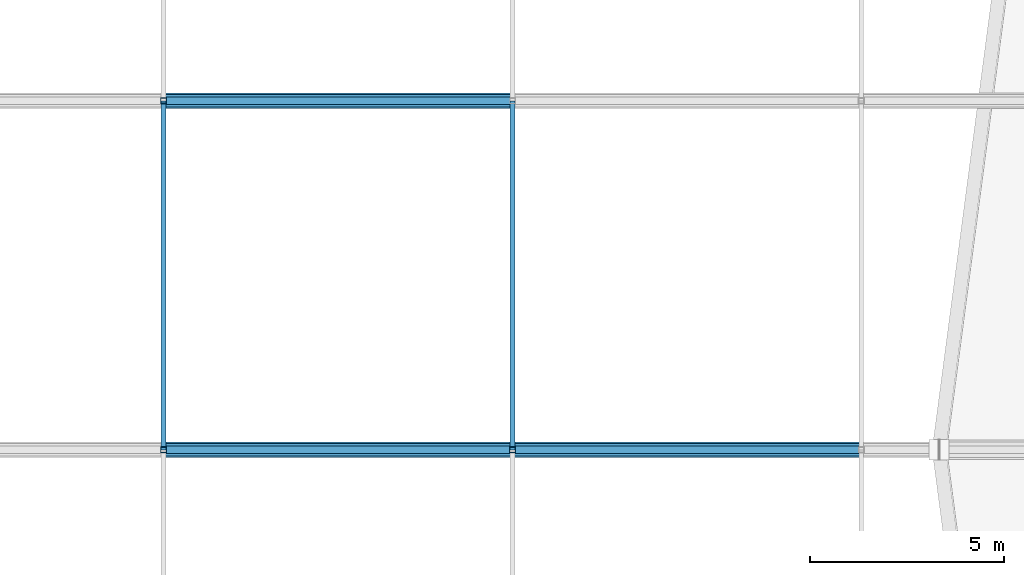
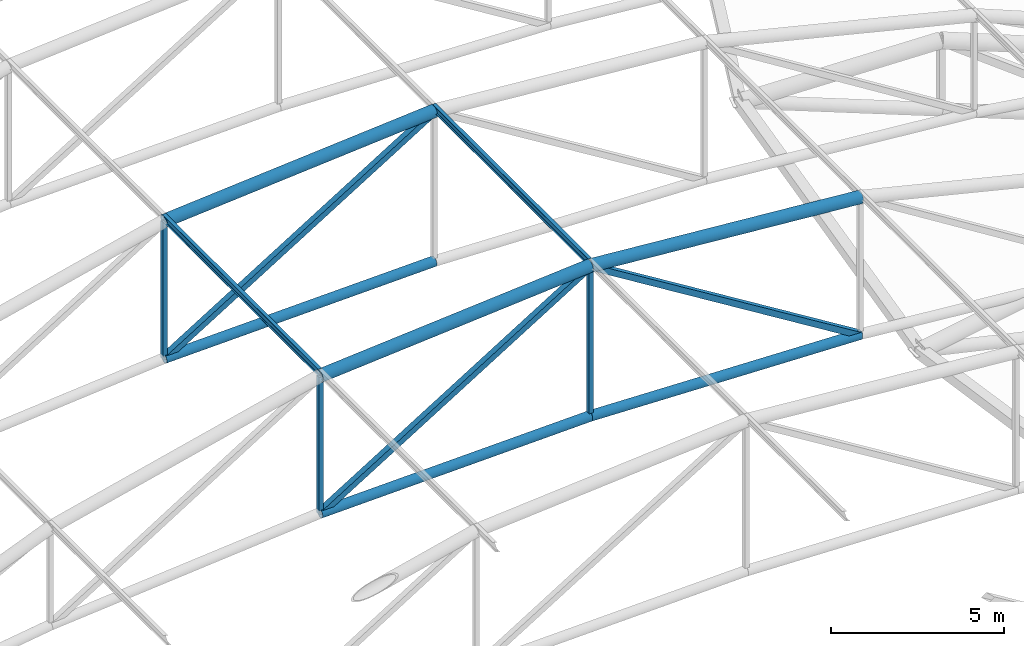
# One storey, part 45 of 167: 14 members.
"""IFC4 building model written with IfcOpenShell, lengths in metres."""

import ifcopenshell
import ifcopenshell.guid

model = None  # the IFC model being written
_history = None  # IfcOwnerHistory: only IFC2X3 demands one
_inside = {}  # id of a spatial element -> (the spatial element, [elements in it])
_under = {}  # id of a project, library or spatial element -> (it, [spatial elements below it])
_declared = {}  # id of a project -> (the project, [libraries it declares])
_typed = {}  # id of a type object -> (the type object, [elements of that type])
_made_of = {}  # id of a material, layer set ... -> (it, [elements and type objects made of it])


def new_model(schema):
    """Start an empty IFC model of exactly this schema.

    Asked for "IFC4X3", IfcOpenShell would pick the latest addendum, in which some entities
    have other attributes; the version numbers below select the first issue.
    IFC2X3 requires an IfcOwnerHistory on every rooted entity: one is made here for all.
    """
    global model, _history
    if schema == "IFC4X3":
        model = ifcopenshell.file(schema_version=(4, 3, 0, 0))
    else:
        model = ifcopenshell.file(schema=schema)
    _inside.clear()
    _under.clear()
    _declared.clear()
    _typed.clear()
    _made_of.clear()
    _history = None
    if model.schema == "IFC2X3":
        org = make("IfcOrganization", Name="unknown")
        user = make(
            "IfcPersonAndOrganization",
            ThePerson=make("IfcPerson", FamilyName="unknown"),
            TheOrganization=org,
        )
        app = make(
            "IfcApplication",
            ApplicationDeveloper=org,
            Version="unknown",
            ApplicationFullName="unknown",
            ApplicationIdentifier="unknown",
        )
        _history = make(
            "IfcOwnerHistory",
            OwningUser=user,
            OwningApplication=app,
            ChangeAction="ADDED",
            CreationDate=0,
        )
    return model


def make(cls, **values):
    """One entity of the class cls with the attributes given. An attribute that is None is left unset."""
    return model.create_entity(
        cls, **{name: value for name, value in values.items() if value is not None}
    )


def rooted(cls, **values):
    """An entity with a GlobalId (a new one), such as an element, a storey or a relation."""
    return make(cls, GlobalId=ifcopenshell.guid.new(), OwnerHistory=_history, **values)


def si_unit(unit_type, name, prefix=None):
    """IfcSIUnit, for example si_unit("LENGTHUNIT", "METRE", prefix="MILLI")."""
    return make("IfcSIUnit", UnitType=unit_type, Prefix=prefix, Name=name)


def assignment(units):
    """IfcUnitAssignment: the units of a project."""
    return None if units is None else make("IfcUnitAssignment", Units=units)


def point(xyz):
    """IfcCartesianPoint."""
    return None if xyz is None else make("IfcCartesianPoint", Coordinates=xyz)


def direction(xyz):
    """IfcDirection."""
    return None if xyz is None else make("IfcDirection", DirectionRatios=xyz)


def frame(location, z_axis=None, x_axis=None):
    """IfcAxis2Placement3D, a coordinate frame: its origin and axes. An axis left out is left unset."""
    return make(
        "IfcAxis2Placement3D",
        Location=point(location),
        Axis=direction(z_axis),
        RefDirection=direction(x_axis),
    )


def frame_2d(location, x_axis=None):
    """IfcAxis2Placement2D, a coordinate frame in the plane: its origin and x axis."""
    return make(
        "IfcAxis2Placement2D", Location=point(location), RefDirection=direction(x_axis)
    )


def origin():
    """The frame at (0, 0, 0) with its axes left unset."""
    return frame((0.0, 0.0, 0.0))


def origin_2d():
    """The frame at (0, 0) in the plane with its x axis left unset."""
    return frame_2d((0.0, 0.0))


def place(relative_to, where):
    """IfcLocalPlacement: puts the frame where relative to a parent placement (None: the world)."""
    return make(
        "IfcLocalPlacement", PlacementRelTo=relative_to, RelativePlacement=where
    )


def context(
    kind, dimensions, precision=None, world=None, true_north=None, identifier=None
):
    """IfcGeometricRepresentationContext, for example the 3D "Model" context."""
    return make(
        "IfcGeometricRepresentationContext",
        ContextIdentifier=identifier,
        ContextType=kind,
        CoordinateSpaceDimension=dimensions,
        Precision=precision,
        WorldCoordinateSystem=world,
        TrueNorth=true_north,
    )


def subcontext(parent, identifier, kind, view, scale=None):
    """IfcGeometricRepresentationSubContext, for example "Body" below "Model"."""
    return make(
        "IfcGeometricRepresentationSubContext",
        ContextIdentifier=identifier,
        ContextType=kind,
        ParentContext=parent,
        TargetScale=scale,
        TargetView=view,
    )


def project(units=None, contexts=None):
    """IfcProject with its units and contexts."""
    return rooted(
        "IfcProject",
        Name="project",
        RepresentationContexts=contexts,
        UnitsInContext=assignment(units),
    )


def spatial(cls, under=None, at=None, **own):
    """A site, building, storey or space (cls), placed at a placement, below another one or the project."""
    s = rooted(cls, ObjectPlacement=at, **own)
    if under is not None:
        _under.setdefault(under.id(), (under, []))[1].append(s)
    return s


def profile(cls, at=None, kind="AREA", **sizes):
    """A parametric profile (cls). Its sizes go by their IFC names, for example OverallWidth=200.0."""
    return make(cls, ProfileType=kind, Position=at, **sizes)


def hollow_rectangle(**sizes):
    """IfcRectangleHollowProfileDef."""
    return profile("IfcRectangleHollowProfileDef", **sizes)


def hollow_circle(**sizes):
    """IfcCircleHollowProfileDef."""
    return profile("IfcCircleHollowProfileDef", **sizes)


def i_section(**sizes):
    """IfcIShapeProfileDef."""
    return profile("IfcIShapeProfileDef", **sizes)


def extrude(swept, where, along, depth):
    """IfcExtrudedAreaSolid: the profile swept, set in the frame where, extruded along a direction by depth."""
    return make(
        "IfcExtrudedAreaSolid",
        SweptArea=swept,
        Position=where,
        ExtrudedDirection=direction(along),
        Depth=depth,
    )


def shape(context_of_items, identifier, shape_type, items):
    """IfcShapeRepresentation: the items that make up one representation, for example the "Body"."""
    return make(
        "IfcShapeRepresentation",
        ContextOfItems=context_of_items,
        RepresentationIdentifier=identifier,
        RepresentationType=shape_type,
        Items=items,
    )


def material(Name=None, Category=None):
    """IfcMaterial."""
    return make("IfcMaterial", Name=Name, Category=Category)


def material_profile(
    of_material, cross_section, Name=None, Category=None, Priority=None
):
    """IfcMaterialProfile: a cross section and its material."""
    return make(
        "IfcMaterialProfile",
        Name=Name,
        Material=of_material,
        Profile=cross_section,
        Priority=Priority,
        Category=Category,
    )


def profile_set(profiles, Name=None, composite=None):
    """IfcMaterialProfileSet."""
    return make(
        "IfcMaterialProfileSet",
        Name=Name,
        MaterialProfiles=profiles,
        CompositeProfile=composite,
    )


def made_of(thing, what):
    """Note that an element or type object is made of a material, layer set ...; save() writes the relation."""
    if what is not None:
        _made_of.setdefault(what.id(), (what, []))[1].append(thing)
    return thing


def type_object(cls, material=None, **own):
    """A type object (cls), such as IfcWallType, which elements share."""
    return made_of(rooted(cls, **own), material)


def element(
    cls,
    number,
    at=None,
    inside=None,
    cuts=None,
    type_object=None,
    material=None,
    context=None,
    identifier="Body",
    shape_type=None,
    held_by="IfcProductDefinitionShape",
    body=None,
    shapes=None,
    **own,
):
    """One element of the class cls, such as IfcWall. Its Tag is "e" and its number.

    at: its placement. inside: the storey or other place that contains it. cuts: it is an
    opening in that element (IfcRelVoidsElement). A single representation is given by context,
    identifier, shape_type and body (its items); several are given by shapes. held_by: the class
    of the entity that holds the representations. save() writes the other relations.
    """
    e = rooted(cls, Tag="e%d" % number, ObjectPlacement=at, **own)
    if body is not None:
        shapes = [shape(context, identifier, shape_type, body)]
    if shapes is not None:
        e.Representation = make(held_by, Representations=shapes)
    if inside is not None:
        _inside.setdefault(inside.id(), (inside, []))[1].append(e)
    if cuts is not None:
        rooted(
            "IfcRelVoidsElement", RelatingBuildingElement=cuts, RelatedOpeningElement=e
        )
    if type_object is not None:
        _typed.setdefault(type_object.id(), (type_object, []))[1].append(e)
    return made_of(e, material)


def aggregate(whole, parts):
    """IfcRelAggregates: a whole, such as a stair, and the parts it consists of."""
    return rooted("IfcRelAggregates", RelatingObject=whole, RelatedObjects=parts)


def save(model, path):
    """Write the relations noted so far, then the file.

    IfcRelAggregates (storeys below a building ...), IfcRelContainedInSpatialStructure (elements
    in a storey), IfcRelDefinesByType, IfcRelAssociatesMaterial and IfcRelDeclares: one each for
    every whole, place, type object, material and project.
    """
    for whole, parts in _under.values():
        aggregate(whole, parts)
    for where, things in _inside.values():
        rooted(
            "IfcRelContainedInSpatialStructure",
            RelatedElements=things,
            RelatingStructure=where,
        )
    for kind, things in _typed.values():
        rooted("IfcRelDefinesByType", RelatedObjects=things, RelatingType=kind)
    for what, things in _made_of.values():
        rooted("IfcRelAssociatesMaterial", RelatedObjects=things, RelatingMaterial=what)
    for by, libraries in _declared.values():
        rooted("IfcRelDeclares", RelatingContext=by, RelatedDefinitions=libraries)
    model.write(path)


model = new_model("IFC4")

# Units and contexts
model_context = context("Model", 3, precision=1e-05, world=origin(), true_north=direction((0.0, 1.0)))
body_context = subcontext(model_context, "Body", "Model", "MODEL_VIEW")
ifc_project = project(units=[si_unit("LENGTHUNIT", "METRE"), si_unit("AREAUNIT", "SQUARE_METRE"), si_unit("VOLUMEUNIT", "CUBIC_METRE"), si_unit("PLANEANGLEUNIT", "RADIAN"), si_unit("MASSUNIT", "GRAM", prefix="KILO")], contexts=[model_context])

# Site, building, storey
site_placement = place(None, origin())
site = spatial("IfcSite", under=ifc_project, at=site_placement, CompositionType="ELEMENT")
building_placement = place(site_placement, origin())
building = spatial("IfcBuilding", under=site, at=building_placement, Name="Dornveld Trade and Exhibition Forum", CompositionType="ELEMENT")
storey_placement = place(building_placement, frame((0.0, 0.0, 16.800048828125)))
storey = spatial("IfcBuildingStorey", under=building, at=storey_placement, Name="L03", CompositionType="ELEMENT", Elevation=16.800048828125)

# Members
ifc_material_1 = material(Name="Steel S355J2", Category="steel")
ifc_material_profile_1 = material_profile(ifc_material_1, hollow_circle(Radius=0.161865234375, WallThickness=0.01611328125, at=origin_2d()), Name="CHS 323.9x16")
ifc_profile_set_1 = profile_set([ifc_material_profile_1], Name="Steel S355J2")
member_type_1 = type_object("IfcMemberType", Name="MEM-ARCH-BC", PredefinedType="CHORD", material=ifc_profile_set_1)
for number, where, z_axis, x_axis, name in (
    (1, (45.0, 81.0, 6.083251953125), (0.999561545365, 0.0, 0.029609407757), (0.0, 1.0, 0.0), "H3 truss 6 tie chord 3"),
    (2, (54.0, 81.0, 6.349853515625), (0.999561545365, 0.0, -0.029609407757), (0.0, 1.0, 0.0), "H3 truss 6 tie chord 4"),
    (3, (45.0, 90.0, 6.083251953125), (0.999561545365, 0.0, 0.029609407757), (0.0, 1.0, 0.0), "H3 truss 7 tie chord 3"),
):
    element("IfcMember", number, at=place(storey_placement, frame(where, z_axis=z_axis, x_axis=x_axis)), inside=storey, type_object=member_type_1, Name=name, PredefinedType="CHORD", context=body_context, shape_type="SweptSolid", body=[
        extrude(hollow_circle(Radius=0.161865234375, WallThickness=0.01611328125, at=origin_2d()), origin(), (0.0, 0.0, 1.0), 9.00390625),
    ])
ifc_material_2 = material(Name="Steel S355J2", Category="steel")
ifc_material_profile_2 = material_profile(ifc_material_2, hollow_rectangle(XDim=0.14990234375, YDim=0.14990234375, WallThickness=0.008056640625, at=origin_2d()), Name="SHS 150x150x8")
ifc_profile_set_2 = profile_set([ifc_material_profile_2], Name="Steel S355J2")
member_type_2 = type_object("IfcMemberType", Name="MEM-ARCH-STR", PredefinedType="STRUT", material=ifc_profile_set_2)
member_1_placement = place(storey_placement, frame((45.0, 81.0, 6.083251953125), z_axis=(0.0, 0.0, 1.0), x_axis=(1.0, 0.0, 0.0)))
element("IfcMember", 4, at=member_1_placement, inside=storey, type_object=member_type_2, Name="H3 truss 6 strut 3", PredefinedType="STRUT", context=body_context, shape_type="SweptSolid", body=[
    extrude(hollow_rectangle(XDim=0.14990234375, YDim=0.14990234375, WallThickness=0.008056640625, at=origin_2d()), origin(), (0.0, 0.0, 1.0), 4.83349609375),
])
member_2_placement = place(storey_placement, frame((54.0, 81.0, 6.349853515625), z_axis=(0.0, 0.0, 1.0), x_axis=(1.0, 0.0, 0.0)))
element("IfcMember", 5, at=member_2_placement, inside=storey, type_object=member_type_2, Name="H3 truss 6 strut 4", PredefinedType="STRUT", context=body_context, shape_type="SweptSolid", body=[
    extrude(hollow_rectangle(XDim=0.14990234375, YDim=0.14990234375, WallThickness=0.008056640625, at=origin_2d()), origin(), (0.0, 0.0, 1.0), 5.300048828125),
])
member_3_placement = place(storey_placement, frame((45.0, 90.0, 6.083251953125), z_axis=(0.0, 0.0, 1.0), x_axis=(1.0, 0.0, 0.0)))
element("IfcMember", 6, at=member_3_placement, inside=storey, type_object=member_type_2, Name="H3 truss 7 strut 3", PredefinedType="STRUT", context=body_context, shape_type="SweptSolid", body=[
    extrude(hollow_rectangle(XDim=0.14990234375, YDim=0.14990234375, WallThickness=0.008056640625, at=origin_2d()), origin(), (0.0, 0.0, 1.0), 4.83349609375),
])
ifc_material_3 = material(Name="Steel S355J2", Category="steel")
ifc_material_profile_3 = material_profile(ifc_material_3, hollow_circle(Radius=0.203125, WallThickness=0.02001953125, at=origin_2d()), Name="CHS 406.4x20")
ifc_profile_set_3 = profile_set([ifc_material_profile_3], Name="Steel S355J2")
member_type_3 = type_object("IfcMemberType", Name="MEM-ARCH-TC", PredefinedType="CHORD", material=ifc_profile_set_3)
for number, where, z_axis, x_axis, name in (
    (7, (45.0, 81.0, 10.916748046875), (0.996698427641, 0.0, 0.081192637213), (0.0, 1.0, 0.0), "H3 truss 6 top chord 3"),
    (8, (54.0, 81.0, 11.64990234375), (0.996698427641, 0.0, -0.081192637213), (0.0, 1.0, 0.0), "H3 truss 6 top chord 4"),
    (9, (45.0, 90.0, 10.916748046875), (0.996698427641, 0.0, 0.081192637213), (0.0, 1.0, 0.0), "H3 truss 7 top chord 3"),
):
    element("IfcMember", number, at=place(storey_placement, frame(where, z_axis=z_axis, x_axis=x_axis)), inside=storey, type_object=member_type_3, Name=name, PredefinedType="CHORD", context=body_context, shape_type="SweptSolid", body=[
        extrude(hollow_circle(Radius=0.203125, WallThickness=0.02001953125, at=origin_2d()), origin(), (0.0, 0.0, 1.0), 9.02978515625),
    ])
ifc_material_4 = material(Name="Steel S355J2", Category="steel")
ifc_material_profile_4 = material_profile(ifc_material_4, hollow_rectangle(XDim=0.199951171875, YDim=0.199951171875, WallThickness=0.010009765625, at=origin_2d()), Name="SHS 200x200x10")
ifc_profile_set_4 = profile_set([ifc_material_profile_4], Name="Steel S355J2")
member_type_4 = type_object("IfcMemberType", Name="MEM-ARCH-WEB", PredefinedType="BRACE", material=ifc_profile_set_4)
for number, where, z_axis, x_axis, name in (
    (10, (45.0, 81.0, 6.083251953125), (0.850467158024, 0.0, 0.526028148603), (0.0, 1.0, 0.0), "H3 truss 6 web 3"),
    (11, (63.0, 81.0, 6.083251953125), (-0.850467158024, 0.0, 0.526028148603), (0.0, -1.0, 0.0), "H3 truss 6 web 4"),
    (12, (45.0, 90.0, 6.083251953125), (0.850467158024, 0.0, 0.526028148603), (0.0, 1.0, 0.0), "H3 truss 7 web 3"),
):
    element("IfcMember", number, at=place(storey_placement, frame(where, z_axis=z_axis, x_axis=x_axis)), inside=storey, type_object=member_type_4, Name=name, PredefinedType="BRACE", context=body_context, shape_type="SweptSolid", body=[
        extrude(hollow_rectangle(XDim=0.199951171875, YDim=0.199951171875, WallThickness=0.010009765625, at=origin_2d()), origin(), (0.0, 0.0, 1.0), 10.58251953125),
    ])
ifc_material_5 = material(Name="Steel S355J2", Category="steel")
ifc_material_profile_5 = material_profile(ifc_material_5, i_section(OverallWidth=0.1201171875, OverallDepth=0.239990234375, WebThickness=0.006103515625, FlangeThickness=0.009765625, FilletRadius=0.014892578125, at=origin_2d()), Name="IPE 240")
ifc_profile_set_5 = profile_set([ifc_material_profile_5], Name="Steel S355J2")
member_type_5 = type_object("IfcMemberType", Name="MEM-PURLIN-240", PredefinedType="PURLIN", material=ifc_profile_set_5)
for number, where, z_axis, x_axis, name in (
    (13, (45.0, 81.0, 11.048583984375), (0.0, 1.0, 0.0), (-1.0, 0.0, 0.0), "H3 bay 6 roof purlin 3"),
    (14, (54.0, 81.0, 11.781982421875), (0.0, 1.0, 0.0), (-1.0, 0.0, 0.0), "H3 bay 6 roof purlin 4"),
):
    element("IfcMember", number, at=place(storey_placement, frame(where, z_axis=z_axis, x_axis=x_axis)), inside=storey, type_object=member_type_5, Name=name, PredefinedType="PURLIN", context=body_context, shape_type="SweptSolid", body=[
        extrude(i_section(OverallWidth=0.1201171875, OverallDepth=0.239990234375, WebThickness=0.006103515625, FlangeThickness=0.009765625, FilletRadius=0.014892578125, at=origin_2d()), origin(), (0.0, 0.0, 1.0), 9.0),
    ])

save(model, "model.ifc")
